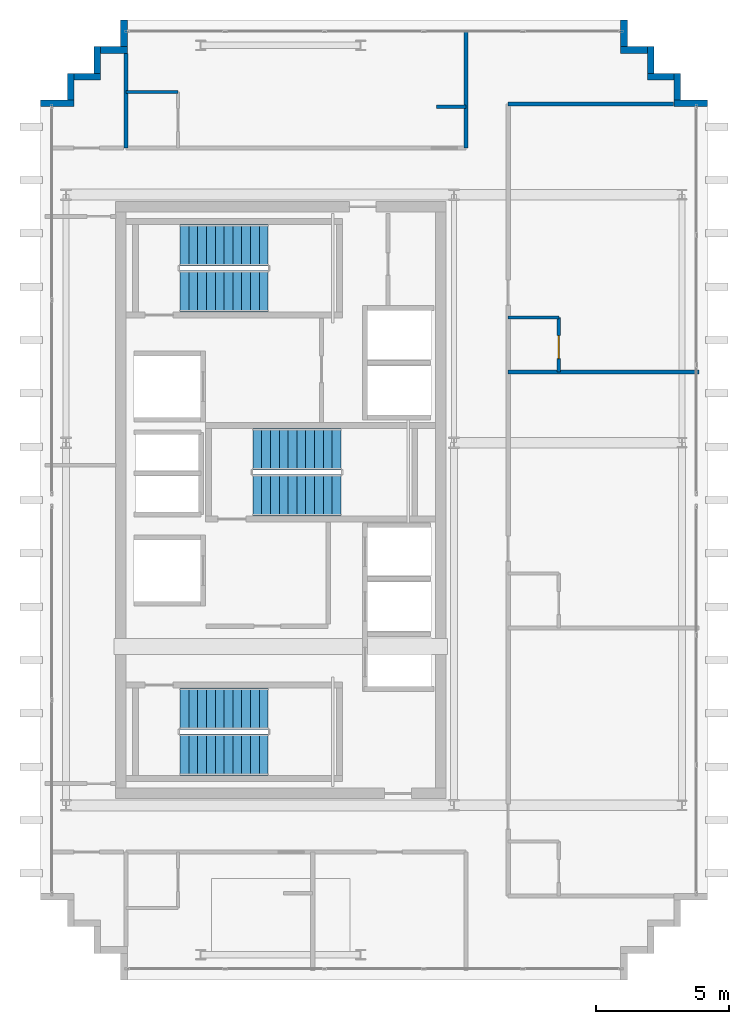
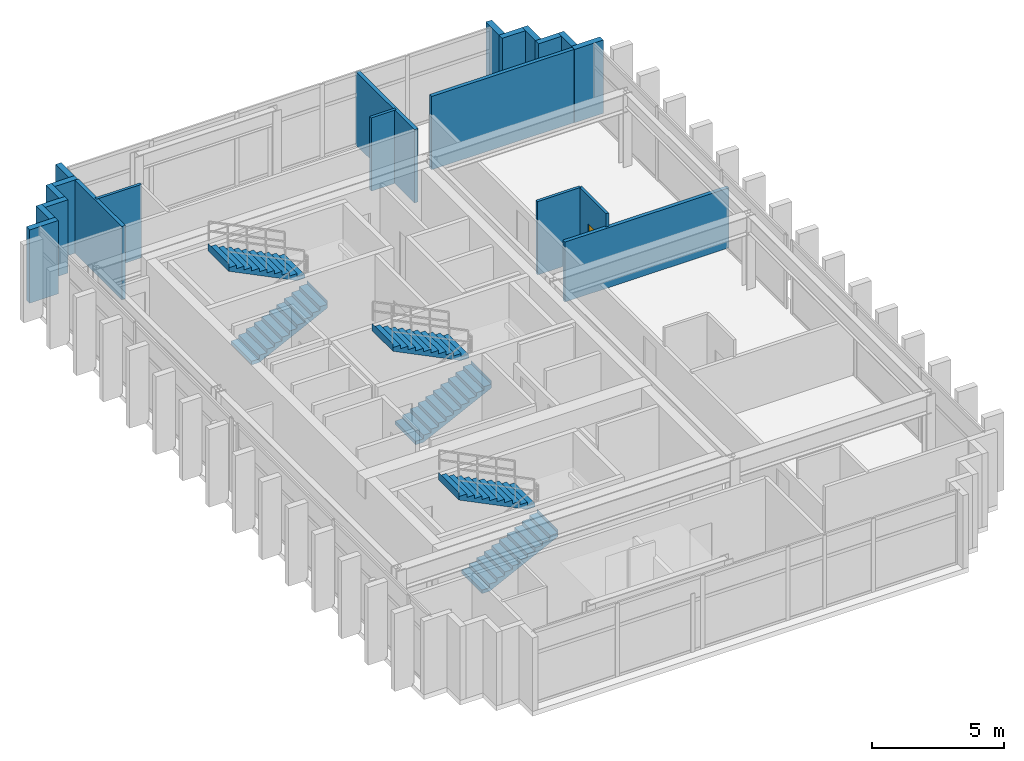
# One storey, part 14 of 15: 20 walls, 6 stair flights, 1 door, 1 opening, 3 elements without a shape of their own.
"""IFC4 building model written with IfcOpenShell, lengths in metres."""

from ifc_helpers import new_model, si_unit, direction, frame, frame_2d, origin, place, context, subcontext, project, spatial, polyline, rectangle, outline, extrude, source, transform, mapped, material, layer, layer_set, type_object, element, fill, aggregate, save


model = new_model("IFC4")

# Units and contexts
model_context = context("Model", 3, precision=1e-05, world=origin(), true_north=direction((0.0, 1.0)))
body_context = subcontext(model_context, "Body", "Model", "MODEL_VIEW")
ifc_project = project(units=[si_unit("LENGTHUNIT", "METRE"), si_unit("AREAUNIT", "SQUARE_METRE"), si_unit("VOLUMEUNIT", "CUBIC_METRE"), si_unit("PLANEANGLEUNIT", "RADIAN"), si_unit("MASSUNIT", "GRAM", prefix="KILO")], contexts=[model_context])

# Site, building, storey
site_placement = place(None, origin())
site = spatial("IfcSite", under=ifc_project, at=site_placement, CompositionType="ELEMENT")
building_placement = place(site_placement, origin())
building = spatial("IfcBuilding", under=site, at=building_placement, Name="Ocotamira Hotel", CompositionType="ELEMENT")
storey_placement = place(building_placement, frame((0.0, 0.0, 276.0)))
storey = spatial("IfcBuildingStorey", under=building, at=storey_placement, Name="L70", CompositionType="ELEMENT", Elevation=276.0)

# Walls
ifc_material_1 = material(Name="Precast concrete C45/55", Category="concrete")
ifc_layer_1 = layer(ifc_material_1, 0.25)
ifc_layer_set_1 = layer_set([ifc_layer_1], Name="Precast concrete C45/55")
wall_type_1 = type_object("IfcWallType", Name="WL-EXT-SER-250", PredefinedType="SOLIDWALL", material=ifc_layer_set_1)
wall_1_placement = place(storey_placement, frame((33.0, 40.875, 0.0), z_axis=(0.0, 0.0, 1.0), x_axis=(-1.0, 0.0, 0.0)))
element("IfcWall", 1, at=wall_1_placement, inside=storey, type_object=wall_type_1, Name="L70 Serrated Corner Wall 07", PredefinedType="SOLIDWALL", context=body_context, shape_type="SweptSolid", body=[
    extrude(rectangle(XDim=1.25, YDim=0.25, at=frame_2d((0.625, 0.0))), origin(), (0.0, 0.0, 1.0), 3.3798828125),
])
for number, where, z_axis, x_axis, name in (
    (2, (31.875, 41.0, 0.0), (0.0, 0.0, 1.0), (0.0, 1.0, 0.0), "L70 Serrated Corner Wall 08"),
    (3, (31.75, 41.875, 0.0), (0.0, 0.0, 1.0), (-1.0, 0.0, 0.0), "L70 Serrated Corner Wall 09"),
    (4, (30.875, 42.0, 0.0), (0.0, 0.0, 1.0), (0.0, 1.0, 0.0), "L70 Serrated Corner Wall 10"),
    (5, (30.75, 42.875, 0.0), (0.0, 0.0, 1.0), (-1.0, 0.0, 0.0), "L70 Serrated Corner Wall 11"),
    (6, (29.875, 43.0, 0.0), (0.0, 0.0, 1.0), (0.0, 1.0, 0.0), "L70 Serrated Corner Wall 12"),
    (7, (11.125, 44.0, 0.0), (0.0, 0.0, 1.0), (0.0, -1.0, 0.0), "L70 Serrated Corner Wall 13"),
    (8, (11.25, 42.875, 0.0), (0.0, 0.0, 1.0), (-1.0, 0.0, 0.0), "L70 Serrated Corner Wall 14"),
    (9, (10.125, 43.0, 0.0), (0.0, 0.0, 1.0), (0.0, -1.0, 0.0), "L70 Serrated Corner Wall 15"),
    (10, (10.25, 41.875, 0.0), (0.0, 0.0, 1.0), (-1.0, 0.0, 0.0), "L70 Serrated Corner Wall 16"),
    (11, (9.125, 42.0, 0.0), (0.0, 0.0, 1.0), (0.0, -1.0, 0.0), "L70 Serrated Corner Wall 17"),
):
    element("IfcWall", number, at=place(storey_placement, frame(where, z_axis=z_axis, x_axis=x_axis)), inside=storey, type_object=wall_type_1, Name=name, PredefinedType="SOLIDWALL", context=body_context, shape_type="SweptSolid", body=[
        extrude(rectangle(XDim=1.0, YDim=0.25, at=frame_2d((0.5, 0.0))), origin(), (0.0, 0.0, 1.0), 3.3798828125),
    ])
wall_2_placement = place(storey_placement, frame((9.25, 40.875, 0.0), z_axis=(0.0, 0.0, 1.0), x_axis=(-1.0, 0.0, 0.0)))
element("IfcWall", 12, at=wall_2_placement, inside=storey, type_object=wall_type_1, Name="L70 Serrated Corner Wall 18", PredefinedType="SOLIDWALL", context=body_context, shape_type="SweptSolid", body=[
    extrude(rectangle(XDim=1.25, YDim=0.25, at=frame_2d((0.625, 0.0))), origin(), (0.0, 0.0, 1.0), 3.3798828125),
])
ifc_material_2 = material(Name="Moisture-resistant en-suite tile and gypsum partition", Category="gypsum")
ifc_layer_2 = layer(ifc_material_2, 0.1201171875)
ifc_layer_set_2 = layer_set([ifc_layer_2], Name="Moisture-resistant en-suite tile and gypsum partition")
wall_type_2 = type_object("IfcWallType", Name="WL-PART-120", PredefinedType="PARTITIONING", material=ifc_layer_set_2)
wall_3_placement = place(storey_placement, frame((11.199951171875, 41.300048828125, 0.0), z_axis=(0.0, 0.0, 1.0), x_axis=(1.0, 0.0, 0.0)))
element("IfcWall", 13, at=wall_3_placement, inside=storey, type_object=wall_type_2, Name="L70 Interior Wall PW-L70-WP0N-BAN1", PredefinedType="PARTITIONING", context=body_context, shape_type="SweptSolid", body=[
    extrude(rectangle(XDim=1.949951171875, YDim=0.1201171875, at=frame_2d((0.97509765625, 0.0))), origin(), (0.0, 0.0, 1.0), 3.3798828125),
])
wall_4_placement = place(storey_placement, frame((22.85009765625, 40.75, 0.0), z_axis=(0.0, 0.0, 1.0), x_axis=(1.0, 0.0, 0.0)))
element("IfcWall", 14, at=wall_4_placement, inside=storey, type_object=wall_type_2, Name="L70 Interior Wall PW-L70-WP0N-DRN1", PredefinedType="PARTITIONING", context=body_context, shape_type="SweptSolid", body=[
    extrude(rectangle(XDim=1.099853515625, YDim=0.1201171875, at=frame_2d((0.5498046875, 0.0))), origin(), (0.0, 0.0, 1.0), 3.3798828125),
])

# Wall, opening, door
wall_5_placement = place(storey_placement, frame((27.429931640625, 30.800048828125, 0.0), z_axis=(0.0, 0.0, 1.0), x_axis=(0.0, 1.0, 0.0)))
wall_5 = element("IfcWall", 15, at=wall_5_placement, inside=storey, type_object=wall_type_2, Name="L70 Interior Wall PW-L70-WP-EBE3", PredefinedType="PARTITIONING", context=body_context, shape_type="SweptSolid", body=[
    extrude(rectangle(XDim=2.0400390625, YDim=0.1201171875, at=frame_2d((1.02001953125, 0.0))), origin(), (0.0, 0.0, 1.0), 3.3798828125),
])
opening_placement = place(wall_5_placement, frame((0.5, 0.0, 0.0)))
opening = element("IfcOpeningElement", 16, at=opening_placement, cuts=wall_5, Name="Opening D-BA1", PredefinedType="OPENING", context=body_context, shape_type="SweptSolid", body=[
    extrude(rectangle(XDim=0.860107421875, YDim=2.10009765625, at=frame_2d((0.43017578125, 1.050048828125))), frame((0.0, 0.070068359375, 0.0), z_axis=(0.0, -1.0, 0.0), x_axis=(1.0, 0.0, 0.0)), (0.0, 0.0, 1.0), 0.14013671875),
])
ifc_material_3 = material(Name="Moisture-sealed en-suite timber door", Category="wood")
door_type = type_object("IfcDoorType", Name="DR-BATH-860", OperationType="NOTDEFINED", PredefinedType="DOOR", material=ifc_material_3)
shared_shape_1 = source(origin(), body_context, "Body", "SweptSolid", [
    extrude(rectangle(XDim=0.860107421875, YDim=2.10009765625, at=frame_2d((0.43017578125, 1.050048828125))), frame((0.0, 0.02490234375, 0.0), z_axis=(0.0, -1.0, 0.0), x_axis=(1.0, 0.0, 0.0)), (0.0, 0.0, 1.0), 0.050048828125),
])
door_placement = place(opening_placement, origin())
door = element("IfcDoor", 17, at=door_placement, inside=storey, type_object=door_type, Name="L70 Door ID-L70-WP-EBD3 [ID-L70-WP-EBD3]", OperationType="SINGLE_SWING_LEFT", OverallHeight=2.10009765625, OverallWidth=0.860107421875, PredefinedType="DOOR", context=body_context, shape_type="MappedRepresentation", body=[
    mapped(shared_shape_1, transform((0.0, 0.0, 0.0), scale=1.0)),
])
fill(opening, door)

# Walls
wall_6_placement = place(storey_placement, frame((25.530029296875, 32.840087890625, 0.0), z_axis=(0.0, 0.0, 1.0), x_axis=(1.0, 0.0, 0.0)))
element("IfcWall", 18, at=wall_6_placement, inside=storey, type_object=wall_type_2, Name="L70 Interior Wall PW-L70-WP-EBN3", PredefinedType="PARTITIONING", context=body_context, shape_type="SweptSolid", body=[
    extrude(rectangle(XDim=1.89990234375, YDim=0.1201171875, at=frame_2d((0.949951171875, 0.0))), origin(), (0.0, 0.0, 1.0), 3.3798828125),
])
ifc_material_4 = material(Name="Acoustic double-stud hospitality gypsum partition", Category="gypsum")
ifc_layer_3 = layer(ifc_material_4, 0.159912109375)
ifc_layer_set_3 = layer_set([ifc_layer_3], Name="Acoustic double-stud hospitality gypsum partition")
wall_type_3 = type_object("IfcWallType", Name="WL-PART-160", PredefinedType="PARTITIONING", material=ifc_layer_set_3)
wall_7_placement = place(storey_placement, frame((11.199951171875, 39.199951171875, 0.0), z_axis=(0.0, 0.0, 1.0), x_axis=(0.0, 1.0, 0.0)))
element("IfcWall", 19, at=wall_7_placement, inside=storey, type_object=wall_type_3, Name="L70 Interior Wall PW-L70-WP0N-PW0", PredefinedType="PARTITIONING", context=body_context, shape_type="SweptSolid", body=[
    extrude(rectangle(XDim=3.5400390625, YDim=0.159912109375, at=frame_2d((1.77001953125, 0.0))), origin(), (0.0, 0.0, 1.0), 3.3798828125),
])
wall_8_placement = place(storey_placement, frame((23.949951171875, 39.199951171875, 0.0), z_axis=(0.0, 0.0, 1.0), x_axis=(0.0, 1.0, 0.0)))
element("IfcWall", 20, at=wall_8_placement, inside=storey, type_object=wall_type_3, Name="L70 Interior Wall PW-L70-WP0N-PWEND", PredefinedType="PARTITIONING", context=body_context, shape_type="SweptSolid", body=[
    extrude(rectangle(XDim=4.43994140625, YDim=0.159912109375, at=frame_2d((2.219970703125, 0.0))), origin(), (0.0, 0.0, 1.0), 3.3798828125),
])
wall_9_placement = place(storey_placement, frame((25.530029296875, 40.85009765625, 0.0), z_axis=(0.0, 0.0, 1.0), x_axis=(1.0, 0.0, 0.0)))
element("IfcWall", 21, at=wall_9_placement, inside=storey, type_object=wall_type_3, Name="L70 Interior Wall PW-L70-WP-EDIVN", PredefinedType="PARTITIONING", context=body_context, shape_type="SweptSolid", body=[
    extrude(rectangle(XDim=6.2099609375, YDim=0.159912109375, at=frame_2d((3.10498046875, 0.0))), origin(), (0.0, 0.0, 1.0), 3.3798828125),
])
wall_10_placement = place(storey_placement, frame((25.530029296875, 30.800048828125, 0.0), z_axis=(0.0, 0.0, 1.0), x_axis=(1.0, 0.0, 0.0)))
element("IfcWall", 22, at=wall_10_placement, inside=storey, type_object=wall_type_3, Name="L70 Interior Wall PW-L70-WP-EDIV2", PredefinedType="PARTITIONING", context=body_context, shape_type="SweptSolid", body=[
    extrude(rectangle(XDim=7.14990234375, YDim=0.159912109375, at=frame_2d((3.574951171875, 0.0))), origin(), (0.0, 0.0, 1.0), 2.762939453125),
])

# Stair, stair flights
ifc_material_5 = material(Name="Concrete C40/50", Category="concrete")
stair_type = type_object("IfcStairType", Name="ST-CORE-1560", PredefinedType="HALF_TURN_STAIR", material=ifc_material_5)
stair_1_placement = place(storey_placement, origin())
stair_1 = element("IfcStair", 23, at=stair_1_placement, inside=storey, type_object=stair_type, Name="L70 Exit Stair ST-1", PredefinedType="HALF_TURN_STAIR")
stair_flight_type = type_object("IfcStairFlightType", Name="STF-CORE-1560", PredefinedType="STRAIGHT", material=ifc_material_5)
shared_shape_2 = source(origin(), body_context, "Body", "SweptSolid", [
    extrude(outline(polyline([(-0.00390625, 0.0), (-0.00390625, 0.16357421875), (0.330078125, 0.16357421875), (0.330078125, 0.327392578125), (0.659912109375, 0.327392578125), (0.659912109375, 0.490966796875), (0.989990234375, 0.490966796875), (0.989990234375, 0.654541015625), (1.320068359375, 0.654541015625), (1.320068359375, 0.818115234375), (1.64990234375, 0.818115234375), (1.64990234375, 0.98193359375), (1.97998046875, 0.98193359375), (1.97998046875, 1.1455078125), (2.31005859375, 1.1455078125), (2.31005859375, 1.30908203125), (2.639892578125, 1.30908203125), (2.639892578125, 1.47265625), (2.969970703125, 1.47265625), (2.969970703125, 1.636474609375), (3.300048828125, 1.636474609375), (3.300048828125, 1.800048828125), (3.303955078125, 1.800048828125), (3.303955078125, 1.468994140625), (0.33740234375, 0.0), (-0.00390625, 0.0)])), frame((0.0, 0.780029296875, 0.0), z_axis=(0.0, -1.0, 0.0), x_axis=(1.0, 0.0, 0.0)), (0.0, 0.0, 1.0), 1.56005859375),
])
stair_flight_1_placement = place(storey_placement, frame((13.22998046875, 16.449951171875, 0.0), z_axis=(0.0, 0.0, 1.0), x_axis=(1.0, 0.0, 0.0)))
stair_flight_1 = element("IfcStairFlight", 24, at=stair_flight_1_placement, type_object=stair_flight_type, Name="ST-1 flight 1", NumberOfRisers=11, NumberOfTreads=10, PredefinedType="STRAIGHT", RiserHeight=0.163636364, TreadLength=0.33, context=body_context, shape_type="MappedRepresentation", body=[
    mapped(shared_shape_2, transform((0.0, 0.0, 0.0), scale=1.0)),
])
stair_flight_2_placement = place(storey_placement, frame((16.530029296875, 18.169921875, 1.800048828125), z_axis=(0.0, 0.0, 1.0), x_axis=(-1.0, 0.0, 0.0)))
stair_flight_2 = element("IfcStairFlight", 25, at=stair_flight_2_placement, type_object=stair_flight_type, Name="ST-1 flight 2", NumberOfRisers=11, NumberOfTreads=10, PredefinedType="STRAIGHT", RiserHeight=0.163636364, TreadLength=0.33, context=body_context, shape_type="MappedRepresentation", body=[
    mapped(shared_shape_2, transform((0.0, 0.0, 0.0), scale=1.0)),
])
aggregate(stair_1, [stair_flight_1, stair_flight_2])

stair_2_placement = place(storey_placement, origin())
stair_2 = element("IfcStair", 26, at=stair_2_placement, inside=storey, type_object=stair_type, Name="L70 Exit Stair ST-2", PredefinedType="HALF_TURN_STAIR")
stair_flight_3_placement = place(storey_placement, frame((13.22998046875, 33.830078125, 0.0), z_axis=(0.0, 0.0, 1.0), x_axis=(1.0, 0.0, 0.0)))
stair_flight_3 = element("IfcStairFlight", 27, at=stair_flight_3_placement, type_object=stair_flight_type, Name="ST-2 flight 1", NumberOfRisers=11, NumberOfTreads=10, PredefinedType="STRAIGHT", RiserHeight=0.163636364, TreadLength=0.33, context=body_context, shape_type="MappedRepresentation", body=[
    mapped(shared_shape_2, transform((0.0, 0.0, 0.0), scale=1.0)),
])
stair_flight_4_placement = place(storey_placement, frame((16.530029296875, 35.550048828125, 1.800048828125), z_axis=(0.0, 0.0, 1.0), x_axis=(-1.0, 0.0, 0.0)))
stair_flight_4 = element("IfcStairFlight", 28, at=stair_flight_4_placement, type_object=stair_flight_type, Name="ST-2 flight 2", NumberOfRisers=11, NumberOfTreads=10, PredefinedType="STRAIGHT", RiserHeight=0.163636364, TreadLength=0.33, context=body_context, shape_type="MappedRepresentation", body=[
    mapped(shared_shape_2, transform((0.0, 0.0, 0.0), scale=1.0)),
])
aggregate(stair_2, [stair_flight_3, stair_flight_4])

stair_3_placement = place(storey_placement, origin())
stair_3 = element("IfcStair", 29, at=stair_3_placement, inside=storey, type_object=stair_type, Name="L70 Exit Stair ST-3", PredefinedType="HALF_TURN_STAIR")
stair_flight_5_placement = place(storey_placement, frame((15.9599609375, 26.179931640625, 0.0), z_axis=(0.0, 0.0, 1.0), x_axis=(1.0, 0.0, 0.0)))
stair_flight_5 = element("IfcStairFlight", 30, at=stair_flight_5_placement, type_object=stair_flight_type, Name="ST-3 flight 1", NumberOfRisers=11, NumberOfTreads=10, PredefinedType="STRAIGHT", RiserHeight=0.163636364, TreadLength=0.33, context=body_context, shape_type="MappedRepresentation", body=[
    mapped(shared_shape_2, transform((0.0, 0.0, 0.0), scale=1.0)),
])
stair_flight_6_placement = place(storey_placement, frame((19.260009765625, 27.89990234375, 1.800048828125), z_axis=(0.0, 0.0, 1.0), x_axis=(-1.0, 0.0, 0.0)))
stair_flight_6 = element("IfcStairFlight", 31, at=stair_flight_6_placement, type_object=stair_flight_type, Name="ST-3 flight 2", NumberOfRisers=11, NumberOfTreads=10, PredefinedType="STRAIGHT", RiserHeight=0.163636364, TreadLength=0.33, context=body_context, shape_type="MappedRepresentation", body=[
    mapped(shared_shape_2, transform((0.0, 0.0, 0.0), scale=1.0)),
])
aggregate(stair_3, [stair_flight_5, stair_flight_6])

save(model, "model.ifc")
